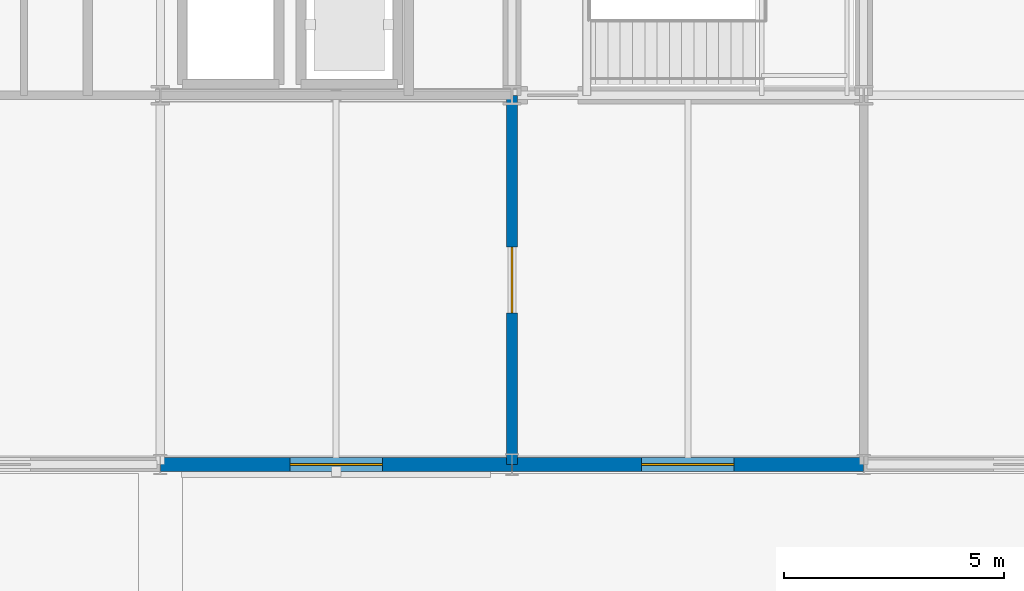
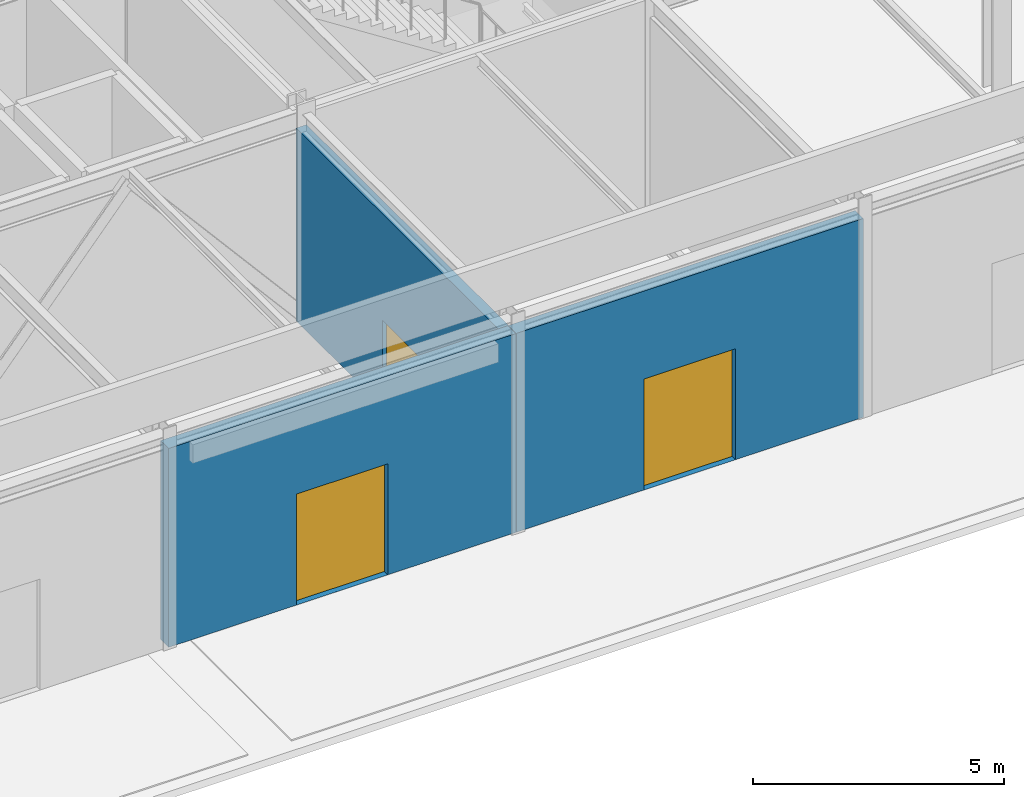
# One storey, part 62 of 89: 3 doors, 3 walls, 3 openings.
"""IFC4 building model written with IfcOpenShell, lengths in metres."""

from ifc_helpers import new_model, si_unit, direction, frame, frame_2d, origin, place, context, subcontext, project, spatial, rectangle, extrude, material, layer, layer_set, type_object, element, fill, save


model = new_model("IFC4")

# Units and contexts
model_context = context("Model", 3, precision=1e-05, world=origin(), true_north=direction((0.0, 1.0)))
body_context = subcontext(model_context, "Body", "Model", "MODEL_VIEW")
ifc_project = project(units=[si_unit("LENGTHUNIT", "METRE"), si_unit("AREAUNIT", "SQUARE_METRE"), si_unit("VOLUMEUNIT", "CUBIC_METRE"), si_unit("PLANEANGLEUNIT", "RADIAN"), si_unit("MASSUNIT", "GRAM", prefix="KILO")], contexts=[model_context])

# Site, building, storey
site_placement = place(None, origin())
site = spatial("IfcSite", under=ifc_project, at=site_placement, CompositionType="ELEMENT")
building_placement = place(site_placement, origin())
building = spatial("IfcBuilding", under=site, at=building_placement, Name="Shalkamar Park Central Library", CompositionType="ELEMENT")
storey_placement = place(building_placement, origin())
storey = spatial("IfcBuildingStorey", under=building, at=storey_placement, Name="L01", CompositionType="ELEMENT", Elevation=0.0)

# Wall, opening, door
ifc_material_1 = material(Name="Reinforced fire-compartment masonry wall", Category="masonry")
ifc_layer_1 = layer(ifc_material_1, 0.239990234375)
ifc_layer_set_1 = layer_set([ifc_layer_1], Name="CompartmentWall_240")
wall_type_1 = type_object("IfcWallType", Name="Compartment Wall 240", PredefinedType="PARTITIONING", material=ifc_layer_set_1)
wall_1_placement = place(storey_placement, frame((197.0, 240.0, 0.0), z_axis=(0.0, 0.0, 1.0), x_axis=(0.0, 1.0, 0.0)))
wall_1 = element("IfcWall", 1, at=wall_1_placement, inside=storey, type_object=wall_type_1, Name="Interior Partition WL-INT-L01-025", PredefinedType="PARTITIONING", context=body_context, shape_type="SweptSolid", body=[
    extrude(rectangle(XDim=8.39990234375, YDim=0.239990234375, at=frame_2d((4.199951171875, 0.0))), origin(), (0.0, 0.0, 1.0), 4.68798828125),
])
opening_1_placement = place(wall_1_placement, frame((3.449951171875, 0.0, 0.0)))
opening_1 = element("IfcOpeningElement", 2, at=opening_1_placement, cuts=wall_1, Name="Opening DR-L01-018", PredefinedType="OPENING", context=body_context, shape_type="SweptSolid", body=[
    extrude(rectangle(XDim=1.5, YDim=2.10009765625, at=frame_2d((0.75, 1.050048828125))), frame((0.0, 0.134765625, 0.0), z_axis=(0.0, -1.0, 0.0), x_axis=(1.0, 0.0, 0.0)), (0.0, 0.0, 1.0), 0.269775390625),
])
ifc_material_2 = material(Name="Steel S355", Category="steel")
door_type_1 = type_object("IfcDoorType", Name="Fire Door Double 1500x2100", OperationType="DOUBLE_DOOR_SINGLE_SWING", PredefinedType="DOOR", material=ifc_material_2)
door_1_placement = place(opening_1_placement, origin())
door_1 = element("IfcDoor", 3, at=door_1_placement, inside=storey, type_object=door_type_1, Name="Boulevard Lobby East Fire Door", OperationType="DOUBLE_DOOR_SINGLE_SWING", OverallHeight=2.10009765625, OverallWidth=1.5, PredefinedType="DOOR", context=body_context, shape_type="SweptSolid", body=[
    extrude(rectangle(XDim=1.5, YDim=2.10009765625, at=frame_2d((0.75, 1.050048828125))), frame((0.0, 0.02490234375, 0.0), z_axis=(0.0, -1.0, 0.0), x_axis=(1.0, 0.0, 0.0)), (0.0, 0.0, 1.0), 0.050048828125),
])
fill(opening_1, door_1)

ifc_material_3 = material(Name="Concrete C35/45 precast", Category="concrete")
ifc_layer_2 = layer(ifc_material_3, 0.320068359375)
ifc_layer_set_2 = layer_set([ifc_layer_2], Name="Concrete C35/45 precast")
wall_type_2 = type_object("IfcWallType", Name="Granite Plinth External Wall 320", PredefinedType="SOLIDWALL", material=ifc_layer_set_2)
wall_2_placement = place(storey_placement, frame((189.006103515625, 240.0, 0.0), z_axis=(0.0, 0.0, 1.0), x_axis=(1.0, 0.0, 0.0)))
wall_2 = element("IfcWall", 4, at=wall_2_placement, inside=storey, type_object=wall_type_2, Name="Exterior Facade Wall WL-EXT-L01-010", PredefinedType="SOLIDWALL", context=body_context, shape_type="SweptSolid", body=[
    extrude(rectangle(XDim=7.98779296875, YDim=0.320068359375, at=frame_2d((3.993896484375, 0.0))), origin(), (0.0, 0.0, 1.0), 4.837890625),
])
opening_2_placement = place(wall_2_placement, frame((2.944091796875, 0.0, 0.0)))
opening_2 = element("IfcOpeningElement", 5, at=opening_2_placement, cuts=wall_2, Name="Opening ED-L01-007", PredefinedType="OPENING", context=body_context, shape_type="SweptSolid", body=[
    extrude(rectangle(XDim=2.10009765625, YDim=2.699951171875, at=frame_2d((1.050048828125, 1.35009765625))), frame((0.0, 0.1748046875, 0.0), z_axis=(0.0, -1.0, 0.0), x_axis=(1.0, 0.0, 0.0)), (0.0, 0.0, 1.0), 0.349853515625),
])
ifc_material_4 = material(Name="Thermally broken insulated aluminium and glazed door", Category="aluminium")
door_type_2 = type_object("IfcDoorType", Name="Boulevard Entrance Door 2100x2700", OperationType="DOUBLE_DOOR_SINGLE_SWING", PredefinedType="DOOR", material=ifc_material_4)
door_2_placement = place(opening_2_placement, frame((2.10009765625, 0.0, 0.0), z_axis=(0.0, 0.0, 1.0), x_axis=(-1.0, 0.0, 0.0)))
door_2 = element("IfcDoor", 6, at=door_2_placement, inside=storey, type_object=door_type_2, Name="South Boulevard Entrance Portal 10", OperationType="DOUBLE_DOOR_SINGLE_SWING", OverallHeight=2.699951171875, OverallWidth=2.10009765625, PredefinedType="DOOR", context=body_context, shape_type="SweptSolid", body=[
    extrude(rectangle(XDim=2.10009765625, YDim=2.699951171875, at=frame_2d((1.050048828125, 1.35009765625))), frame((0.0, 0.02490234375, 0.0), z_axis=(0.0, -1.0, 0.0), x_axis=(1.0, 0.0, 0.0)), (0.0, 0.0, 1.0), 0.050048828125),
])
fill(opening_2, door_2)

wall_3_placement = place(storey_placement, frame((197.006103515625, 240.0, 0.0), z_axis=(0.0, 0.0, 1.0), x_axis=(1.0, 0.0, 0.0)))
wall_3 = element("IfcWall", 7, at=wall_3_placement, inside=storey, type_object=wall_type_2, Name="Exterior Facade Wall WL-EXT-L01-011", PredefinedType="SOLIDWALL", context=body_context, shape_type="SweptSolid", body=[
    extrude(rectangle(XDim=7.98779296875, YDim=0.320068359375, at=frame_2d((3.993896484375, 0.0))), origin(), (0.0, 0.0, 1.0), 4.837890625),
])
opening_3_placement = place(wall_3_placement, frame((2.944091796875, 0.0, 0.0)))
opening_3 = element("IfcOpeningElement", 8, at=opening_3_placement, cuts=wall_3, Name="Opening ED-L01-008", PredefinedType="OPENING", context=body_context, shape_type="SweptSolid", body=[
    extrude(rectangle(XDim=2.10009765625, YDim=2.699951171875, at=frame_2d((1.050048828125, 1.35009765625))), frame((0.0, 0.1748046875, 0.0), z_axis=(0.0, -1.0, 0.0), x_axis=(1.0, 0.0, 0.0)), (0.0, 0.0, 1.0), 0.349853515625),
])
door_3_placement = place(opening_3_placement, frame((2.10009765625, 0.0, 0.0), z_axis=(0.0, 0.0, 1.0), x_axis=(-1.0, 0.0, 0.0)))
door_3 = element("IfcDoor", 9, at=door_3_placement, inside=storey, type_object=door_type_2, Name="South Boulevard Entrance Portal 11", OperationType="DOUBLE_DOOR_SINGLE_SWING", OverallHeight=2.699951171875, OverallWidth=2.10009765625, PredefinedType="DOOR", context=body_context, shape_type="SweptSolid", body=[
    extrude(rectangle(XDim=2.10009765625, YDim=2.699951171875, at=frame_2d((1.050048828125, 1.35009765625))), frame((0.0, 0.02490234375, 0.0), z_axis=(0.0, -1.0, 0.0), x_axis=(1.0, 0.0, 0.0)), (0.0, 0.0, 1.0), 0.050048828125),
])
fill(opening_3, door_3)

save(model, "model.ifc")
